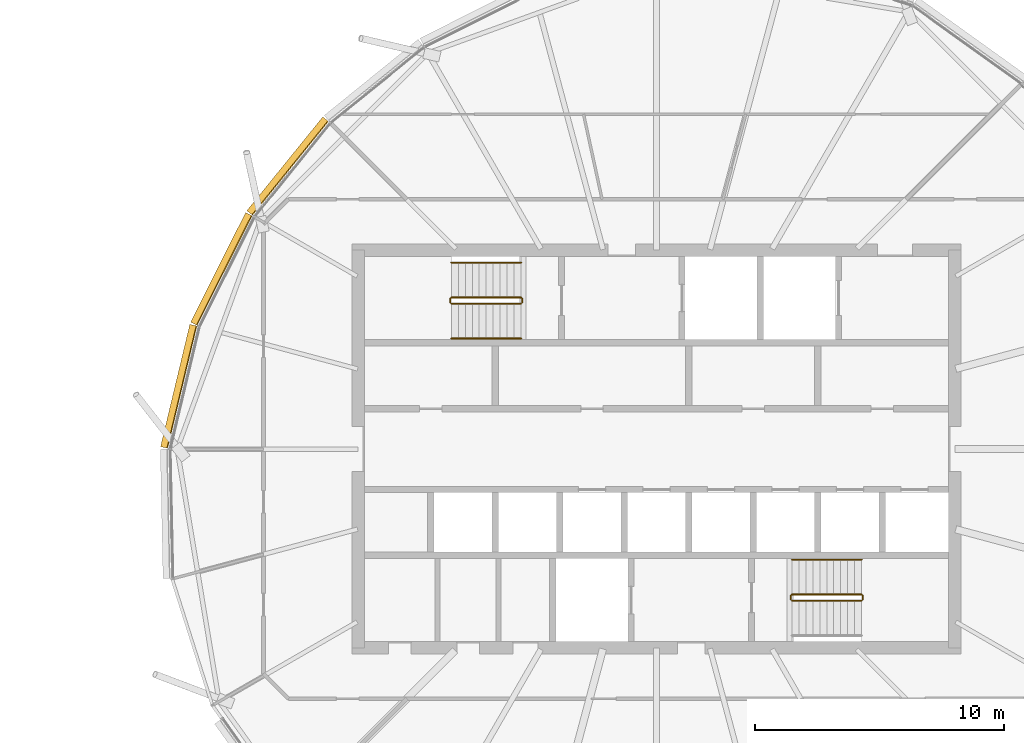
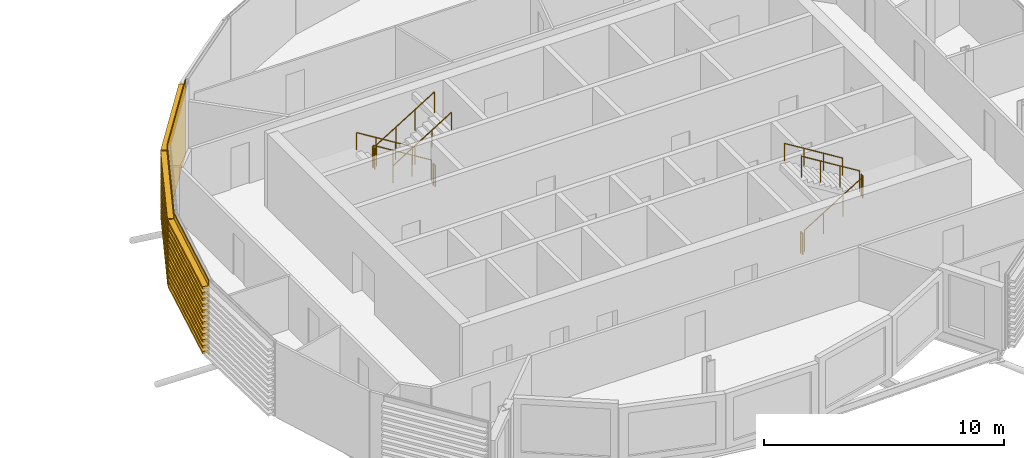
# One storey, part 34 of 35: 11 railings, 3 coverings.
"""IFC4 building model written with IfcOpenShell, lengths in metres."""

from ifc_helpers import new_model, si_unit, direction, frame, origin, origin_2d, place, context, subcontext, project, spatial, polyline, circle, outline, extrude, material, material_profile, profile_set, type_object, element, save


model = new_model("IFC4")

# Units and contexts
model_context = context("Model", 3, precision=1e-05, world=origin(), true_north=direction((0.0, 1.0)))
body_context = subcontext(model_context, "Body", "Model", "MODEL_VIEW")
ifc_project = project(units=[si_unit("LENGTHUNIT", "METRE"), si_unit("AREAUNIT", "SQUARE_METRE"), si_unit("VOLUMEUNIT", "CUBIC_METRE"), si_unit("PLANEANGLEUNIT", "RADIAN"), si_unit("MASSUNIT", "GRAM", prefix="KILO")], contexts=[model_context])

# Site, building, storey
site_placement = place(None, origin())
site = spatial("IfcSite", under=ifc_project, at=site_placement, CompositionType="ELEMENT")
building_placement = place(site_placement, origin())
building = spatial("IfcBuilding", under=site, at=building_placement, Name="Rimbun Link Towers", CompositionType="ELEMENT")
storey_placement = place(building_placement, frame((0.0, 0.0, 229.5)))
storey = spatial("IfcBuildingStorey", under=building, at=storey_placement, Name="L56", CompositionType="ELEMENT", Elevation=229.5)

# Railings
ifc_material_1 = material(Name="Stainless steel grade 316", Category="steel")
railing_type_1 = type_object("IfcRailingType", Name="Stair guard", PredefinedType="GUARDRAIL", material=ifc_material_1)
railing_1_placement = place(storey_placement, frame((26.300048828125, 6.10009765625, 0.172607421875)))
element("IfcRailing", 1, at=railing_1_placement, inside=storey, type_object=railing_type_1, Name="L56 ST3 stair guard 1", PredefinedType="GUARDRAIL", context=body_context, shape_type="SweptSolid", body=[
    extrude(circle(Radius=0.02392578125, at=origin_2d()), frame((0.0, 0.0, 1.076171875), z_axis=(-0.851089632645, 0.0, 0.525020415988), x_axis=(0.0, -1.0, 0.0)), (0.0, 0.0, 1.0), 3.2900390625),
    extrude(circle(Radius=0.02099609375, at=origin_2d()), origin(), (0.0, 0.0, 1.0), 1.052001953125),
    extrude(circle(Radius=0.02099609375, at=origin_2d()), frame((-0.933349609375, 0.0, 0.57568359375)), (0.0, 0.0, 1.0), 1.052001953125),
    extrude(circle(Radius=0.02099609375, at=origin_2d()), frame((-1.86669921875, 0.0, 1.151611328125)), (0.0, 0.0, 1.0), 1.052001953125),
    extrude(circle(Radius=0.02099609375, at=origin_2d()), frame((-2.800048828125, 0.0, 1.727294921875)), (0.0, 0.0, 1.0), 1.052001953125),
])
railing_2_placement = place(storey_placement, frame((23.449951171875, 6.050048828125, 1.89990234375)))
element("IfcRailing", 2, at=railing_2_placement, inside=storey, type_object=railing_type_1, Name="L56 ST3 stair guard 2", PredefinedType="GUARDRAIL", context=body_context, shape_type="SweptSolid", body=[
    extrude(circle(Radius=0.02392578125, at=origin_2d()), frame((0.0, 0.0, 1.076171875), z_axis=(0.0, -1.0, 0.0), x_axis=(1.0, 0.0, 0.0)), (0.0, 0.0, 1.0), 0.150146484375),
    extrude(circle(Radius=0.02099609375, at=origin_2d()), origin(), (0.0, 0.0, 1.0), 1.052001953125),
    extrude(circle(Radius=0.02099609375, at=origin_2d()), frame((0.0, -0.150146484375, 0.0)), (0.0, 0.0, 1.0), 1.052001953125),
])
railing_3_placement = place(storey_placement, frame((23.5, 5.85009765625, 2.07275390625)))
element("IfcRailing", 3, at=railing_3_placement, inside=storey, type_object=railing_type_1, Name="L56 ST3 stair guard 3", PredefinedType="GUARDRAIL", context=body_context, shape_type="SweptSolid", body=[
    extrude(circle(Radius=0.02392578125, at=origin_2d()), frame((0.0, 0.0, 1.076171875), z_axis=(0.851089632645, 0.0, 0.525020415988), x_axis=(0.0, 1.0, 0.0)), (0.0, 0.0, 1.0), 3.2900390625),
    extrude(circle(Radius=0.02099609375, at=origin_2d()), origin(), (0.0, 0.0, 1.0), 1.052001953125),
    extrude(circle(Radius=0.02099609375, at=origin_2d()), frame((0.933349609375, 0.0, 0.57568359375)), (0.0, 0.0, 1.0), 1.052001953125),
    extrude(circle(Radius=0.02099609375, at=origin_2d()), frame((1.86669921875, 0.0, 1.151611328125)), (0.0, 0.0, 1.0), 1.052001953125),
    extrude(circle(Radius=0.02099609375, at=origin_2d()), frame((2.800048828125, 0.0, 1.727294921875)), (0.0, 0.0, 1.0), 1.052001953125),
])
railing_4_placement = place(storey_placement, frame((26.35009765625, 6.050048828125, 0.0)))
element("IfcRailing", 4, at=railing_4_placement, inside=storey, type_object=railing_type_1, Name="L56 ST3 stair guard 4", PredefinedType="GUARDRAIL", context=body_context, shape_type="SweptSolid", body=[
    extrude(circle(Radius=0.02392578125, at=origin_2d()), frame((0.0, 0.0, 1.076171875), z_axis=(0.0, -1.0, 0.0), x_axis=(1.0, 0.0, 0.0)), (0.0, 0.0, 1.0), 0.150146484375),
    extrude(circle(Radius=0.02099609375, at=origin_2d()), origin(), (0.0, 0.0, 1.0), 1.052001953125),
    extrude(circle(Radius=0.02099609375, at=origin_2d()), frame((0.0, -0.150146484375, 0.0)), (0.0, 0.0, 1.0), 1.052001953125),
])
railing_5_placement = place(storey_placement, frame((37.199951171875, -6.10009765625, 0.172607421875)))
element("IfcRailing", 5, at=railing_5_placement, inside=storey, type_object=railing_type_1, Name="L56 ST4 stair guard 1", PredefinedType="GUARDRAIL", context=body_context, shape_type="SweptSolid", body=[
    extrude(circle(Radius=0.02392578125, at=origin_2d()), frame((0.0, 0.0, 1.076171875), z_axis=(0.851089632645, 0.0, 0.525020415988), x_axis=(0.0, 1.0, 0.0)), (0.0, 0.0, 1.0), 3.2900390625),
    extrude(circle(Radius=0.02099609375, at=origin_2d()), origin(), (0.0, 0.0, 1.0), 1.052001953125),
    extrude(circle(Radius=0.02099609375, at=origin_2d()), frame((0.933349609375, 0.0, 0.57568359375)), (0.0, 0.0, 1.0), 1.052001953125),
    extrude(circle(Radius=0.02099609375, at=origin_2d()), frame((1.86669921875, 0.0, 1.151611328125)), (0.0, 0.0, 1.0), 1.052001953125),
    extrude(circle(Radius=0.02099609375, at=origin_2d()), frame((2.800048828125, 0.0, 1.727294921875)), (0.0, 0.0, 1.0), 1.052001953125),
])
railing_6_placement = place(storey_placement, frame((40.050048828125, -6.050048828125, 1.89990234375)))
element("IfcRailing", 6, at=railing_6_placement, inside=storey, type_object=railing_type_1, Name="L56 ST4 stair guard 2", PredefinedType="GUARDRAIL", context=body_context, shape_type="SweptSolid", body=[
    extrude(circle(Radius=0.02392578125, at=origin_2d()), frame((0.0, 0.0, 1.076171875), z_axis=(0.0, 1.0, 0.0), x_axis=(-1.0, 0.0, 0.0)), (0.0, 0.0, 1.0), 0.150146484375),
    extrude(circle(Radius=0.02099609375, at=origin_2d()), origin(), (0.0, 0.0, 1.0), 1.052001953125),
    extrude(circle(Radius=0.02099609375, at=origin_2d()), frame((0.0, 0.150146484375, 0.0)), (0.0, 0.0, 1.0), 1.052001953125),
])
railing_7_placement = place(storey_placement, frame((40.0, -5.85009765625, 2.07275390625)))
element("IfcRailing", 7, at=railing_7_placement, inside=storey, type_object=railing_type_1, Name="L56 ST4 stair guard 3", PredefinedType="GUARDRAIL", context=body_context, shape_type="SweptSolid", body=[
    extrude(circle(Radius=0.02392578125, at=origin_2d()), frame((0.0, 0.0, 1.076171875), z_axis=(-0.851089632645, 0.0, 0.525020415988), x_axis=(0.0, -1.0, 0.0)), (0.0, 0.0, 1.0), 3.2900390625),
    extrude(circle(Radius=0.02099609375, at=origin_2d()), origin(), (0.0, 0.0, 1.0), 1.052001953125),
    extrude(circle(Radius=0.02099609375, at=origin_2d()), frame((-0.933349609375, 0.0, 0.57568359375)), (0.0, 0.0, 1.0), 1.052001953125),
    extrude(circle(Radius=0.02099609375, at=origin_2d()), frame((-1.86669921875, 0.0, 1.151611328125)), (0.0, 0.0, 1.0), 1.052001953125),
    extrude(circle(Radius=0.02099609375, at=origin_2d()), frame((-2.800048828125, 0.0, 1.727294921875)), (0.0, 0.0, 1.0), 1.052001953125),
])
railing_8_placement = place(storey_placement, frame((37.14990234375, -6.050048828125, 0.0)))
element("IfcRailing", 8, at=railing_8_placement, inside=storey, type_object=railing_type_1, Name="L56 ST4 stair guard 4", PredefinedType="GUARDRAIL", context=body_context, shape_type="SweptSolid", body=[
    extrude(circle(Radius=0.02392578125, at=origin_2d()), frame((0.0, 0.0, 1.076171875), z_axis=(0.0, 1.0, 0.0), x_axis=(-1.0, 0.0, 0.0)), (0.0, 0.0, 1.0), 0.150146484375),
    extrude(circle(Radius=0.02099609375, at=origin_2d()), origin(), (0.0, 0.0, 1.0), 1.052001953125),
    extrude(circle(Radius=0.02099609375, at=origin_2d()), frame((0.0, 0.150146484375, 0.0)), (0.0, 0.0, 1.0), 1.052001953125),
])
ifc_material_2 = material(Name="Stainless steel grade 316", Category="steel")
railing_type_2 = type_object("IfcRailingType", Name="Stair handrail", PredefinedType="HANDRAIL", material=ifc_material_2)
railing_9_placement = place(storey_placement, frame((26.300048828125, 7.5, 0.172607421875)))
element("IfcRailing", 9, at=railing_9_placement, inside=storey, type_object=railing_type_2, Name="L56 ST3 stair handrail 1", PredefinedType="HANDRAIL", context=body_context, shape_type="SweptSolid", body=[
    extrude(circle(Radius=0.02392578125, at=origin_2d()), frame((0.0, 0.0, 0.8759765625), z_axis=(-0.851089632645, 0.0, 0.525020415988), x_axis=(0.0, -1.0, 0.0)), (0.0, 0.0, 1.0), 3.2900390625),
    extrude(circle(Radius=0.02099609375, at=origin_2d()), origin(), (0.0, 0.0, 1.0), 0.851806640625),
    extrude(circle(Radius=0.02099609375, at=origin_2d()), frame((-0.933349609375, 0.0, 0.57568359375)), (0.0, 0.0, 1.0), 0.851806640625),
    extrude(circle(Radius=0.02099609375, at=origin_2d()), frame((-1.86669921875, 0.0, 1.151611328125)), (0.0, 0.0, 1.0), 0.851806640625),
    extrude(circle(Radius=0.02099609375, at=origin_2d()), frame((-2.800048828125, 0.0, 1.727294921875)), (0.0, 0.0, 1.0), 0.851806640625),
])
railing_10_placement = place(storey_placement, frame((23.5, 4.449951171875, 2.07275390625)))
element("IfcRailing", 10, at=railing_10_placement, inside=storey, type_object=railing_type_2, Name="L56 ST3 stair handrail 2", PredefinedType="HANDRAIL", context=body_context, shape_type="SweptSolid", body=[
    extrude(circle(Radius=0.02392578125, at=origin_2d()), frame((0.0, 0.0, 0.8759765625), z_axis=(0.851089632645, 0.0, 0.525020415988), x_axis=(0.0, 1.0, 0.0)), (0.0, 0.0, 1.0), 3.2900390625),
    extrude(circle(Radius=0.02099609375, at=origin_2d()), origin(), (0.0, 0.0, 1.0), 0.851806640625),
    extrude(circle(Radius=0.02099609375, at=origin_2d()), frame((0.933349609375, 0.0, 0.57568359375)), (0.0, 0.0, 1.0), 0.851806640625),
    extrude(circle(Radius=0.02099609375, at=origin_2d()), frame((1.86669921875, 0.0, 1.151611328125)), (0.0, 0.0, 1.0), 0.851806640625),
    extrude(circle(Radius=0.02099609375, at=origin_2d()), frame((2.800048828125, 0.0, 1.727294921875)), (0.0, 0.0, 1.0), 0.851806640625),
])
railing_11_placement = place(storey_placement, frame((40.0, -4.449951171875, 2.07275390625)))
element("IfcRailing", 11, at=railing_11_placement, inside=storey, type_object=railing_type_2, Name="L56 ST4 stair handrail 2", PredefinedType="HANDRAIL", context=body_context, shape_type="SweptSolid", body=[
    extrude(circle(Radius=0.02392578125, at=origin_2d()), frame((0.0, 0.0, 0.8759765625), z_axis=(-0.851089632645, 0.0, 0.525020415988), x_axis=(0.0, -1.0, 0.0)), (0.0, 0.0, 1.0), 3.2900390625),
    extrude(circle(Radius=0.02099609375, at=origin_2d()), origin(), (0.0, 0.0, 1.0), 0.851806640625),
    extrude(circle(Radius=0.02099609375, at=origin_2d()), frame((-0.933349609375, 0.0, 0.57568359375)), (0.0, 0.0, 1.0), 0.851806640625),
    extrude(circle(Radius=0.02099609375, at=origin_2d()), frame((-1.86669921875, 0.0, 1.151611328125)), (0.0, 0.0, 1.0), 0.851806640625),
    extrude(circle(Radius=0.02099609375, at=origin_2d()), frame((-2.800048828125, 0.0, 1.727294921875)), (0.0, 0.0, 1.0), 0.851806640625),
])

# Coverings
ifc_material_3 = material(Name="Terracotta", Category="masonry")
ifc_material_profile = material_profile(ifc_material_3, outline(polyline([(0.123046875, 0.0), (0.1630859375, 0.0), (0.1630859375, 0.10009765625), (0.423095703125, 0.10009765625), (0.423095703125, 0.219970703125), (0.1630859375, 0.219970703125), (0.1630859375, 0.39990234375), (0.423095703125, 0.39990234375), (0.423095703125, 0.52001953125), (0.1630859375, 0.52001953125), (0.1630859375, 0.699951171875), (0.423095703125, 0.699951171875), (0.423095703125, 0.820068359375), (0.1630859375, 0.820068359375), (0.1630859375, 1.0), (0.423095703125, 1.0), (0.423095703125, 1.1201171875), (0.1630859375, 1.1201171875), (0.1630859375, 1.300048828125), (0.423095703125, 1.300048828125), (0.423095703125, 1.419921875), (0.1630859375, 1.419921875), (0.1630859375, 1.60009765625), (0.423095703125, 1.60009765625), (0.423095703125, 1.719970703125), (0.1630859375, 1.719970703125), (0.1630859375, 1.89990234375), (0.423095703125, 1.89990234375), (0.423095703125, 2.02001953125), (0.1630859375, 2.02001953125), (0.1630859375, 2.199951171875), (0.423095703125, 2.199951171875), (0.423095703125, 2.320068359375), (0.1630859375, 2.320068359375), (0.1630859375, 2.5), (0.423095703125, 2.5), (0.423095703125, 2.6201171875), (0.1630859375, 2.6201171875), (0.1630859375, 2.800048828125), (0.423095703125, 2.800048828125), (0.423095703125, 2.919921875), (0.1630859375, 2.919921875), (0.1630859375, 3.10009765625), (0.423095703125, 3.10009765625), (0.423095703125, 3.219970703125), (0.1630859375, 3.219970703125), (0.1630859375, 3.39990234375), (0.423095703125, 3.39990234375), (0.423095703125, 3.52001953125), (0.1630859375, 3.52001953125), (0.1630859375, 3.800048828125), (0.123046875, 3.800048828125), (0.123046875, 0.0)])), Name="BAGUETTE 120X300")
ifc_profile_set = profile_set([ifc_material_profile], Name="Terracotta")
covering_type = type_object("IfcCoveringType", Name="TERRACOTTA BAGUETTE 120X300 H3800", PredefinedType="CLADDING", material=ifc_profile_set)
covering_1_placement = place(storey_placement, frame((15.600830078125, 9.32373046875, 0.0), z_axis=(0.629193887066, 0.777248385318, 0.0), x_axis=(-0.777248385318, 0.629193887066, 0.0)))
element("IfcCovering", 12, at=covering_1_placement, inside=storey, type_object=covering_type, Name="TERRACOTTA BAGUETTE", PredefinedType="CLADDING", context=body_context, shape_type="SweptSolid", body=[
    extrude(outline(polyline([(0.123046875, 0.0), (0.1630859375, 0.0), (0.1630859375, 0.10009765625), (0.423095703125, 0.10009765625), (0.423095703125, 0.219970703125), (0.1630859375, 0.219970703125), (0.1630859375, 0.39990234375), (0.423095703125, 0.39990234375), (0.423095703125, 0.52001953125), (0.1630859375, 0.52001953125), (0.1630859375, 0.699951171875), (0.423095703125, 0.699951171875), (0.423095703125, 0.820068359375), (0.1630859375, 0.820068359375), (0.1630859375, 1.0), (0.423095703125, 1.0), (0.423095703125, 1.1201171875), (0.1630859375, 1.1201171875), (0.1630859375, 1.300048828125), (0.423095703125, 1.300048828125), (0.423095703125, 1.419921875), (0.1630859375, 1.419921875), (0.1630859375, 1.60009765625), (0.423095703125, 1.60009765625), (0.423095703125, 1.719970703125), (0.1630859375, 1.719970703125), (0.1630859375, 1.89990234375), (0.423095703125, 1.89990234375), (0.423095703125, 2.02001953125), (0.1630859375, 2.02001953125), (0.1630859375, 2.199951171875), (0.423095703125, 2.199951171875), (0.423095703125, 2.320068359375), (0.1630859375, 2.320068359375), (0.1630859375, 2.5), (0.423095703125, 2.5), (0.423095703125, 2.6201171875), (0.1630859375, 2.6201171875), (0.1630859375, 2.800048828125), (0.423095703125, 2.800048828125), (0.423095703125, 2.919921875), (0.1630859375, 2.919921875), (0.1630859375, 3.10009765625), (0.423095703125, 3.10009765625), (0.423095703125, 3.219970703125), (0.1630859375, 3.219970703125), (0.1630859375, 3.39990234375), (0.423095703125, 3.39990234375), (0.423095703125, 3.52001953125), (0.1630859375, 3.52001953125), (0.1630859375, 3.800048828125), (0.123046875, 3.800048828125), (0.123046875, 0.0)])), origin(), (0.0, 0.0, 1.0), 4.85302734375),
])
covering_2_placement = place(storey_placement, frame((13.389404296875, 4.919677734375, 0.0), z_axis=(0.44873879536, 0.893662964175, 0.0), x_axis=(-0.893662964175, 0.44873879536, 0.0)))
element("IfcCovering", 13, at=covering_2_placement, inside=storey, type_object=covering_type, Name="TERRACOTTA BAGUETTE", PredefinedType="CLADDING", context=body_context, shape_type="SweptSolid", body=[
    extrude(outline(polyline([(0.123046875, 0.0), (0.1630859375, 0.0), (0.1630859375, 0.10009765625), (0.423095703125, 0.10009765625), (0.423095703125, 0.219970703125), (0.1630859375, 0.219970703125), (0.1630859375, 0.39990234375), (0.423095703125, 0.39990234375), (0.423095703125, 0.52001953125), (0.1630859375, 0.52001953125), (0.1630859375, 0.699951171875), (0.423095703125, 0.699951171875), (0.423095703125, 0.820068359375), (0.1630859375, 0.820068359375), (0.1630859375, 1.0), (0.423095703125, 1.0), (0.423095703125, 1.1201171875), (0.1630859375, 1.1201171875), (0.1630859375, 1.300048828125), (0.423095703125, 1.300048828125), (0.423095703125, 1.419921875), (0.1630859375, 1.419921875), (0.1630859375, 1.60009765625), (0.423095703125, 1.60009765625), (0.423095703125, 1.719970703125), (0.1630859375, 1.719970703125), (0.1630859375, 1.89990234375), (0.423095703125, 1.89990234375), (0.423095703125, 2.02001953125), (0.1630859375, 2.02001953125), (0.1630859375, 2.199951171875), (0.423095703125, 2.199951171875), (0.423095703125, 2.320068359375), (0.1630859375, 2.320068359375), (0.1630859375, 2.5), (0.423095703125, 2.5), (0.423095703125, 2.6201171875), (0.1630859375, 2.6201171875), (0.1630859375, 2.800048828125), (0.423095703125, 2.800048828125), (0.423095703125, 2.919921875), (0.1630859375, 2.919921875), (0.1630859375, 3.10009765625), (0.423095703125, 3.10009765625), (0.423095703125, 3.219970703125), (0.1630859375, 3.219970703125), (0.1630859375, 3.39990234375), (0.423095703125, 3.39990234375), (0.423095703125, 3.52001953125), (0.1630859375, 3.52001953125), (0.1630859375, 3.800048828125), (0.123046875, 3.800048828125), (0.123046875, 0.0)])), origin(), (0.0, 0.0, 1.0), 4.927978515625),
])
covering_3_placement = place(storey_placement, frame((12.212646484375, 0.0, 0.0), z_axis=(0.232631768051, 0.972564887549, 0.0), x_axis=(-0.972564887549, 0.232631768051, 0.0)))
element("IfcCovering", 14, at=covering_3_placement, inside=storey, type_object=covering_type, Name="TERRACOTTA BAGUETTE", PredefinedType="CLADDING", context=body_context, shape_type="SweptSolid", body=[
    extrude(outline(polyline([(0.123046875, 0.0), (0.1630859375, 0.0), (0.1630859375, 0.10009765625), (0.423095703125, 0.10009765625), (0.423095703125, 0.219970703125), (0.1630859375, 0.219970703125), (0.1630859375, 0.39990234375), (0.423095703125, 0.39990234375), (0.423095703125, 0.52001953125), (0.1630859375, 0.52001953125), (0.1630859375, 0.699951171875), (0.423095703125, 0.699951171875), (0.423095703125, 0.820068359375), (0.1630859375, 0.820068359375), (0.1630859375, 1.0), (0.423095703125, 1.0), (0.423095703125, 1.1201171875), (0.1630859375, 1.1201171875), (0.1630859375, 1.300048828125), (0.423095703125, 1.300048828125), (0.423095703125, 1.419921875), (0.1630859375, 1.419921875), (0.1630859375, 1.60009765625), (0.423095703125, 1.60009765625), (0.423095703125, 1.719970703125), (0.1630859375, 1.719970703125), (0.1630859375, 1.89990234375), (0.423095703125, 1.89990234375), (0.423095703125, 2.02001953125), (0.1630859375, 2.02001953125), (0.1630859375, 2.199951171875), (0.423095703125, 2.199951171875), (0.423095703125, 2.320068359375), (0.1630859375, 2.320068359375), (0.1630859375, 2.5), (0.423095703125, 2.5), (0.423095703125, 2.6201171875), (0.1630859375, 2.6201171875), (0.1630859375, 2.800048828125), (0.423095703125, 2.800048828125), (0.423095703125, 2.919921875), (0.1630859375, 2.919921875), (0.1630859375, 3.10009765625), (0.423095703125, 3.10009765625), (0.423095703125, 3.219970703125), (0.1630859375, 3.219970703125), (0.1630859375, 3.39990234375), (0.423095703125, 3.39990234375), (0.423095703125, 3.52001953125), (0.1630859375, 3.52001953125), (0.1630859375, 3.800048828125), (0.123046875, 3.800048828125), (0.123046875, 0.0)])), origin(), (0.0, 0.0, 1.0), 5.058349609375),
])

save(model, "model.ifc")
